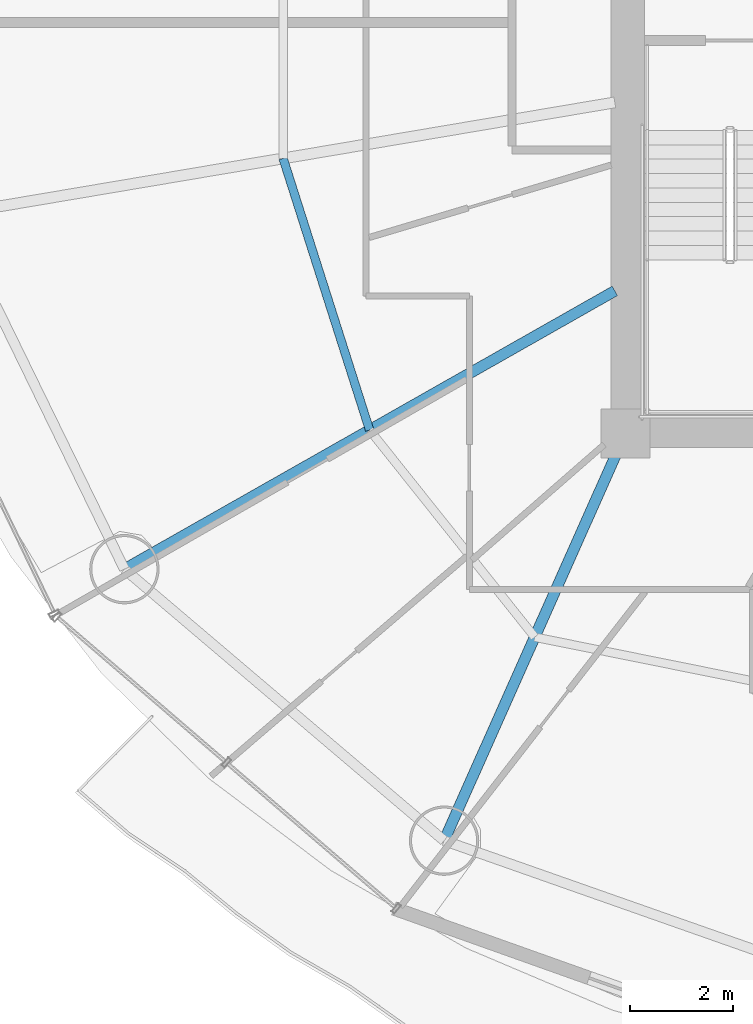
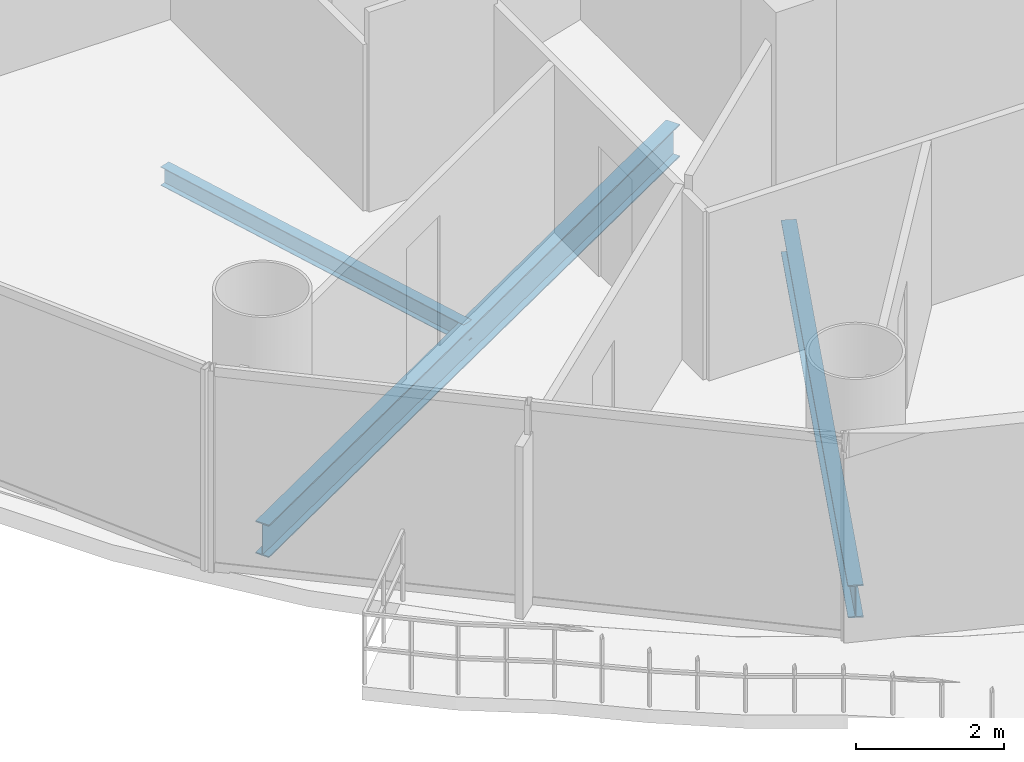
# One storey, part 4 of 27: 3 beams.
"""IFC4 building model written with IfcOpenShell, lengths in metres."""

from ifc_helpers import new_model, si_unit, direction, frame, origin, origin_2d, place, context, subcontext, project, spatial, i_section, extrude, material, material_profile, profile_set, type_object, element, save


model = new_model("IFC4")

# Units and contexts
model_context = context("Model", 3, precision=1e-05, world=origin(), true_north=direction((-0.2419218956, 0.970295726276)))
body_context = subcontext(model_context, "Body", "Model", "MODEL_VIEW")
ifc_project = project(units=[si_unit("LENGTHUNIT", "METRE"), si_unit("AREAUNIT", "SQUARE_METRE"), si_unit("VOLUMEUNIT", "CUBIC_METRE"), si_unit("PLANEANGLEUNIT", "RADIAN"), si_unit("MASSUNIT", "GRAM", prefix="KILO")], contexts=[model_context])

# Site, building, storey
site_placement = place(None, origin())
site = spatial("IfcSite", under=ifc_project, at=site_placement, CompositionType="ELEMENT")
building_placement = place(site_placement, origin())
building = spatial("IfcBuilding", under=site, at=building_placement, Name="Cobrevalo Terracotta Tower", CompositionType="ELEMENT")
storey_placement = place(building_placement, frame((0.0, 0.0, 164.199951171875)))
storey = spatial("IfcBuildingStorey", under=building, at=storey_placement, Name="L43", CompositionType="ELEMENT", Elevation=164.199951171875)

# Beams
ifc_material = material(Name="Steel S355", Category="steel")
ifc_material_profile_1 = material_profile(ifc_material, i_section(OverallWidth=0.2109375, OverallDepth=0.5390625, WebThickness=0.01171875, FlangeThickness=0.018798828125, at=origin_2d()), Name="W 530x109")
ifc_profile_set_1 = profile_set([ifc_material_profile_1], Name="Steel S355")
beam_type_1 = type_object("IfcBeamType", Name="Structural Beam W 530x109 (Steel S355)", PredefinedType="BEAM", material=ifc_profile_set_1)
beam_1_placement = place(storey_placement, frame((19.250244140625, 16.160888671875, -0.53955078125), z_axis=(0.869743726706, 0.493503647257, 0.0), x_axis=(-0.493503647257, 0.869743726706, 0.0)))
element("IfcBeam", 1, at=beam_1_placement, inside=storey, type_object=beam_type_1, Name="L43 radial floor girder 10", PredefinedType="BEAM", context=body_context, shape_type="SweptSolid", body=[
    extrude(i_section(OverallWidth=0.2109375, OverallDepth=0.5390625, WebThickness=0.01171875, FlangeThickness=0.018798828125, at=origin_2d()), origin(), (0.0, 0.0, 1.0), 10.97412109375),
])
beam_2_placement = place(storey_placement, frame((25.471923828125, 10.87744140625, -0.53955078125), z_axis=(0.406804395691, 0.913515289224, 0.0), x_axis=(-0.913515289224, 0.406804395691, 0.0)))
element("IfcBeam", 2, at=beam_2_placement, inside=storey, type_object=beam_type_1, Name="L43 radial floor girder 11", PredefinedType="BEAM", context=body_context, shape_type="SweptSolid", body=[
    extrude(i_section(OverallWidth=0.2109375, OverallDepth=0.5390625, WebThickness=0.01171875, FlangeThickness=0.018798828125, at=origin_2d()), origin(), (0.0, 0.0, 1.0), 8.672607421875),
])
ifc_material_profile_2 = material_profile(ifc_material, i_section(OverallWidth=0.1650390625, OverallDepth=0.31005859375, WebThickness=0.005859375, FlangeThickness=0.009765625, at=origin_2d()), Name="W 310x38.7")
ifc_profile_set_2 = profile_set([ifc_material_profile_2], Name="Steel S355")
beam_type_2 = type_object("IfcBeamType", Name="Structural Joist W 310x38.7 (Steel S355)", PredefinedType="JOIST", material=ifc_profile_set_2)
beam_3_placement = place(storey_placement, frame((22.339111328125, 24.154541015625, -0.425048828125), z_axis=(0.303497928386, -0.952832098255, 0.0), x_axis=(0.952832098255, 0.303497928386, 0.0)))
element("IfcBeam", 3, at=beam_3_placement, inside=storey, type_object=beam_type_2, Name="L43 circumferential secondary floor joist 09", PredefinedType="JOIST", context=body_context, shape_type="SweptSolid", body=[
    extrude(i_section(OverallWidth=0.1650390625, OverallDepth=0.31005859375, WebThickness=0.005859375, FlangeThickness=0.009765625, at=origin_2d()), origin(), (0.0, 0.0, 1.0), 5.54736328125),
])

save(model, "model.ifc")
